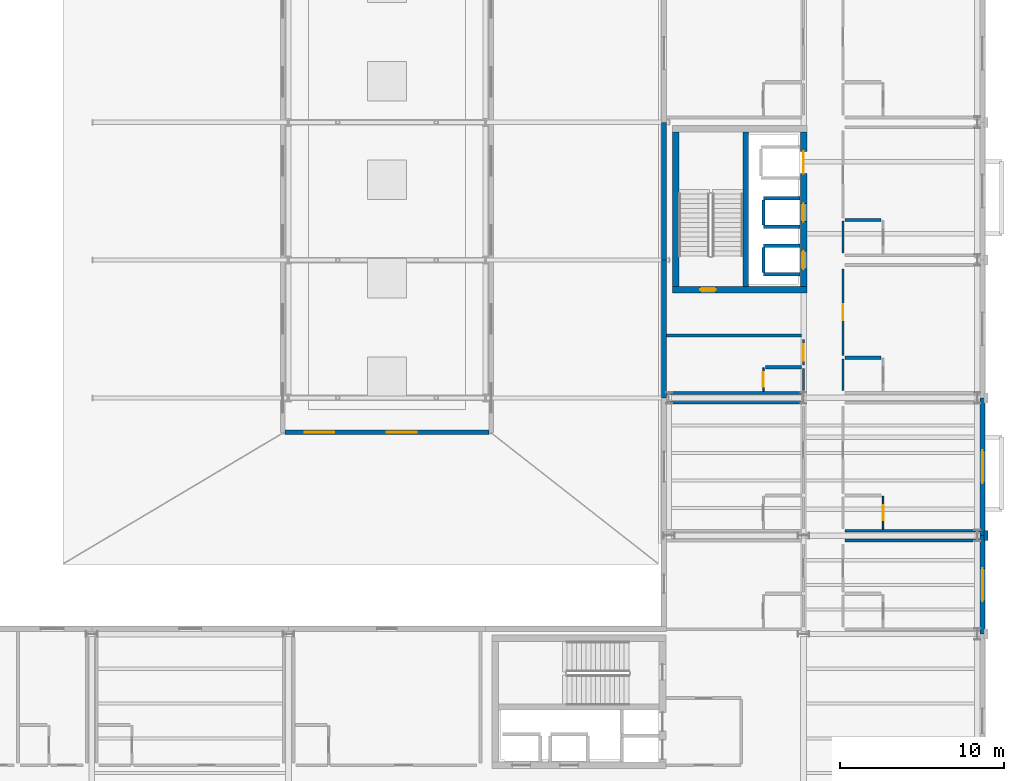
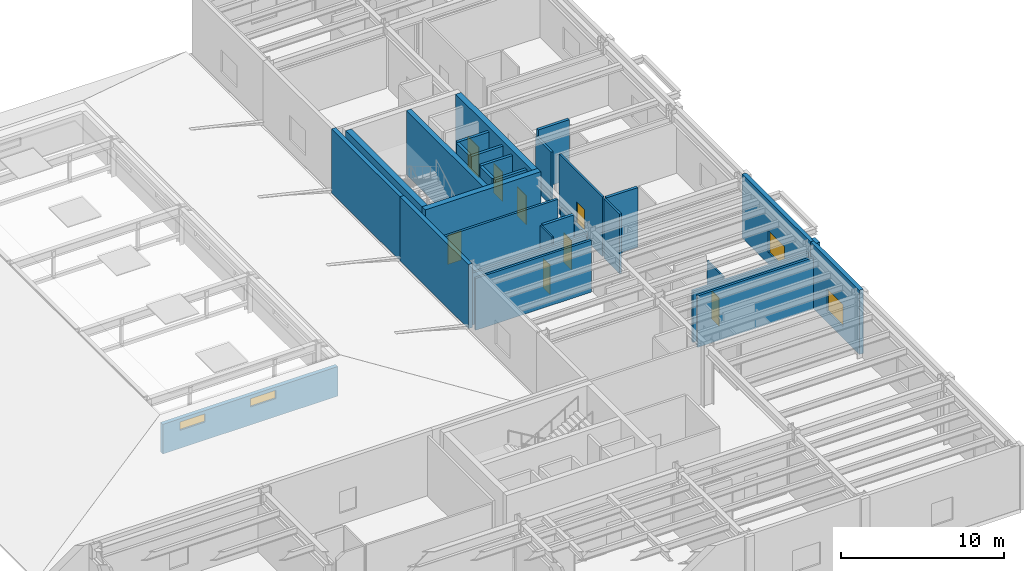
# One storey, part 79 of 91: 31 walls, 8 doors, 4 windows, 12 openings.
"""IFC4 building model written with IfcOpenShell, lengths in metres."""

from ifc_helpers import new_model, si_unit, direction, frame, frame_2d, origin, place, context, subcontext, project, spatial, rectangle, extrude, material, layer, layer_set, type_object, element, fill, save


model = new_model("IFC4")

# Units and contexts
model_context = context("Model", 3, precision=1e-05, world=origin(), true_north=direction((0.0, 1.0)))
body_context = subcontext(model_context, "Body", "Model", "MODEL_VIEW")
ifc_project = project(units=[si_unit("LENGTHUNIT", "METRE"), si_unit("AREAUNIT", "SQUARE_METRE"), si_unit("VOLUMEUNIT", "CUBIC_METRE"), si_unit("PLANEANGLEUNIT", "RADIAN"), si_unit("MASSUNIT", "GRAM", prefix="KILO")], contexts=[model_context])

# Site, building, storey
site_placement = place(None, origin())
site = spatial("IfcSite", under=ifc_project, at=site_placement, CompositionType="ELEMENT")
building_placement = place(site_placement, origin())
building = spatial("IfcBuilding", under=site, at=building_placement, Name="Sollismere Congress Hotel", CompositionType="ELEMENT")
storey_placement = place(building_placement, frame((0.0, 0.0, 10.800048828125)))
storey = spatial("IfcBuildingStorey", under=building, at=storey_placement, Name="L02", CompositionType="ELEMENT", Elevation=10.800048828125)

# Wall, openings, windows
ifc_material_1 = material(Name="Colorado Buff Sandstone Rainscreen on Insulated Backup", Category="masonry")
ifc_layer_1 = layer(ifc_material_1, 0.284912109375, Name="Colorado Buff Sandstone Rainscreen on Insulated Backup")
ifc_layer_set_1 = layer_set([ifc_layer_1], Name="Colorado Buff Sandstone Rainscreen on Insulated Backup")
wall_type_1 = type_object("IfcWallType", Name="WL-EXT285", PredefinedType="STANDARD", material=ifc_layer_set_1)
wall_1_placement = place(storey_placement, frame((123.79443359375, 31.10009765625, 0.0), z_axis=(0.0, 0.0, 1.0), x_axis=(1.0, 0.0, 0.0)))
wall_1 = element("IfcWall", 1, at=wall_1_placement, inside=storey, type_object=wall_type_1, Name="Exterior wall EW-L02-214", PredefinedType="STANDARD", context=body_context, shape_type="SweptSolid", body=[
    extrude(rectangle(XDim=12.4111328125, YDim=0.284912109375, at=frame_2d((6.20556640625, 0.0))), origin(), (0.0, 0.0, 1.0), 2.219970703125),
])
opening_1_placement = place(wall_1_placement, frame((1.199951171875, 0.0, 1.35009765625)))
opening_1 = element("IfcOpeningElement", 2, at=opening_1_placement, cuts=wall_1, Name="Opening W-L02-194", PredefinedType="OPENING", context=body_context, shape_type="SweptSolid", body=[
    extrude(rectangle(XDim=1.800048828125, YDim=0.6201171875, at=frame_2d((0.89990234375, 0.31005859375))), frame((0.0, 0.15234375, 0.0), z_axis=(0.0, -1.0, 0.0), x_axis=(1.0, 0.0, 0.0)), (0.0, 0.0, 1.0), 0.304931640625),
])
opening_2_placement = place(wall_1_placement, frame((6.20556640625, 0.0, 1.35009765625)))
opening_2 = element("IfcOpeningElement", 3, at=opening_2_placement, cuts=wall_1, Name="Opening W-L02-195", PredefinedType="OPENING", context=body_context, shape_type="SweptSolid", body=[
    extrude(rectangle(XDim=1.800048828125, YDim=0.6201171875, at=frame_2d((0.89990234375, 0.31005859375))), frame((0.0, 0.15234375, 0.0), z_axis=(0.0, -1.0, 0.0), x_axis=(1.0, 0.0, 0.0)), (0.0, 0.0, 1.0), 0.304931640625),
])
ifc_material_2 = material(Name="Thermally Broken Bronze Aluminum & Low-E Glass", Category="aluminium")
window_type_1 = type_object("IfcWindowType", Name="WN-CL180", PartitioningType="SINGLE_PANEL", PredefinedType="WINDOW", material=ifc_material_2)
window_1_placement = place(opening_1_placement, origin())
window_1 = element("IfcWindow", 4, at=window_1_placement, inside=storey, type_object=window_type_1, Name="WIN-W-L02-194", OverallHeight=0.6201171875, OverallWidth=1.800048828125, PartitioningType="SINGLE_PANEL", PredefinedType="WINDOW", context=body_context, shape_type="SweptSolid", body=[
    extrude(rectangle(XDim=1.800048828125, YDim=0.6201171875, at=frame_2d((0.89990234375, 0.31005859375))), frame((0.0, 0.030029296875, 0.0), z_axis=(0.0, -1.0, 0.0), x_axis=(1.0, 0.0, 0.0)), (0.0, 0.0, 1.0), 0.06005859375),
])
fill(opening_1, window_1)
window_2_placement = place(opening_2_placement, origin())
window_2 = element("IfcWindow", 5, at=window_2_placement, inside=storey, type_object=window_type_1, Name="WIN-W-L02-195", OverallHeight=0.6201171875, OverallWidth=1.800048828125, PartitioningType="SINGLE_PANEL", PredefinedType="WINDOW", context=body_context, shape_type="SweptSolid", body=[
    extrude(rectangle(XDim=1.800048828125, YDim=0.6201171875, at=frame_2d((0.89990234375, 0.31005859375))), frame((0.0, 0.030029296875, 0.0), z_axis=(0.0, -1.0, 0.0), x_axis=(1.0, 0.0, 0.0)), (0.0, 0.0, 1.0), 0.06005859375),
])
fill(opening_2, window_2)

# Wall, opening, window
wall_2_placement = place(storey_placement, frame((166.31005859375, 18.800048828125, 0.0), z_axis=(0.0, 0.0, 1.0), x_axis=(0.0, 1.0, 0.0)))
wall_2 = element("IfcWall", 6, at=wall_2_placement, inside=storey, type_object=wall_type_1, Name="Exterior wall EW-L02-358", PredefinedType="STANDARD", context=body_context, shape_type="SweptSolid", body=[
    extrude(rectangle(XDim=6.0, YDim=0.284912109375, at=frame_2d((3.0, 0.0))), origin(), (0.0, 0.0, 1.0), 4.800048828125),
])
opening_3_placement = place(wall_2_placement, frame((2.0, 0.0, 0.85009765625)))
opening_3 = element("IfcOpeningElement", 7, at=opening_3_placement, cuts=wall_2, Name="Opening W-L02-285", PredefinedType="OPENING", context=body_context, shape_type="SweptSolid", body=[
    extrude(rectangle(XDim=2.0, YDim=1.64990234375, at=frame_2d((1.0, 0.824951171875))), frame((0.0, 0.15234375, 0.0), z_axis=(0.0, -1.0, 0.0), x_axis=(1.0, 0.0, 0.0)), (0.0, 0.0, 1.0), 0.304931640625),
])
window_type_2 = type_object("IfcWindowType", Name="WN-P200x165", PartitioningType="SINGLE_PANEL", PredefinedType="WINDOW", material=ifc_material_2)
window_3_placement = place(opening_3_placement, origin())
window_3 = element("IfcWindow", 8, at=window_3_placement, inside=storey, type_object=window_type_2, Name="WIN-W-L02-285", OverallHeight=1.64990234375, OverallWidth=2.0, PartitioningType="SINGLE_PANEL", PredefinedType="WINDOW", context=body_context, shape_type="SweptSolid", body=[
    extrude(rectangle(XDim=2.0, YDim=1.64990234375, at=frame_2d((1.0, 0.824951171875))), frame((0.0, 0.030029296875, 0.0), z_axis=(0.0, -1.0, 0.0), x_axis=(1.0, 0.0, 0.0)), (0.0, 0.0, 1.0), 0.06005859375),
])
fill(opening_3, window_3)

wall_3_placement = place(storey_placement, frame((166.31005859375, 24.800048828125, 0.0), z_axis=(0.0, 0.0, 1.0), x_axis=(0.0, 1.0, 0.0)))
wall_3 = element("IfcWall", 9, at=wall_3_placement, inside=storey, type_object=wall_type_1, Name="Exterior wall EW-L02-360", PredefinedType="STANDARD", context=body_context, shape_type="SweptSolid", body=[
    extrude(rectangle(XDim=8.39990234375, YDim=0.284912109375, at=frame_2d((4.199951171875, 0.0))), origin(), (0.0, 0.0, 1.0), 4.800048828125),
])
opening_4_placement = place(wall_3_placement, frame((3.199951171875, 0.0, 0.85009765625)))
opening_4 = element("IfcOpeningElement", 10, at=opening_4_placement, cuts=wall_3, Name="Opening W-L02-286", PredefinedType="OPENING", context=body_context, shape_type="SweptSolid", body=[
    extrude(rectangle(XDim=2.0, YDim=1.64990234375, at=frame_2d((1.0, 0.824951171875))), frame((0.0, 0.15234375, 0.0), z_axis=(0.0, -1.0, 0.0), x_axis=(1.0, 0.0, 0.0)), (0.0, 0.0, 1.0), 0.304931640625),
])
window_4_placement = place(opening_4_placement, origin())
window_4 = element("IfcWindow", 11, at=window_4_placement, inside=storey, type_object=window_type_2, Name="WIN-W-L02-286", OverallHeight=1.64990234375, OverallWidth=2.0, PartitioningType="SINGLE_PANEL", PredefinedType="WINDOW", context=body_context, shape_type="SweptSolid", body=[
    extrude(rectangle(XDim=2.0, YDim=1.64990234375, at=frame_2d((1.0, 0.824951171875))), frame((0.0, 0.030029296875, 0.0), z_axis=(0.0, -1.0, 0.0), x_axis=(1.0, 0.0, 0.0)), (0.0, 0.0, 1.0), 0.06005859375),
])
fill(opening_4, window_4)

# Walls
wall_4_placement = place(storey_placement, frame((146.889892578125, 33.199951171875, 0.0), z_axis=(0.0, 0.0, 1.0), x_axis=(0.0, 1.0, 0.0)))
element("IfcWall", 12, at=wall_4_placement, inside=storey, type_object=wall_type_1, Name="Exterior wall EW-L02-383", PredefinedType="STANDARD", context=body_context, shape_type="SweptSolid", body=[
    extrude(rectangle(XDim=8.400146484375, YDim=0.284912109375, at=frame_2d((4.2001953125, 0.0))), origin(), (0.0, 0.0, 1.0), 4.800048828125),
])
wall_5_placement = place(storey_placement, frame((146.889892578125, 41.60009765625, 0.0), z_axis=(0.0, 0.0, 1.0), x_axis=(0.0, 1.0, 0.0)))
element("IfcWall", 13, at=wall_5_placement, inside=storey, type_object=wall_type_1, Name="Exterior wall EW-L02-384", PredefinedType="STANDARD", context=body_context, shape_type="SweptSolid", body=[
    extrude(rectangle(XDim=8.39990234375, YDim=0.284912109375, at=frame_2d((4.199951171875, 0.0))), origin(), (0.0, 0.0, 1.0), 4.800048828125),
])
ifc_material_3 = material(Name="Carved Travertine Pilaster & Frieze Assembly", Category="masonry")
ifc_layer_2 = layer(ifc_material_3, 0.260009765625, Name="Carved Travertine Pilaster & Frieze Assembly")
ifc_layer_set_2 = layer_set([ifc_layer_2], Name="Carved Travertine Pilaster & Frieze Assembly")
wall_type_2 = type_object("IfcWallType", Name="WL-PIL280", PredefinedType="ELEMENTEDWALL", material=ifc_layer_set_2)
wall_6_placement = place(storey_placement, frame((166.52001953125, 24.5, 0.0), z_axis=(0.0, 0.0, 1.0), x_axis=(0.0, 1.0, 0.0)))
element("IfcWall", 14, at=wall_6_placement, inside=storey, type_object=wall_type_2, Name="Exterior wall EW-L02-361", PredefinedType="ELEMENTEDWALL", context=body_context, shape_type="SweptSolid", body=[
    extrude(rectangle(XDim=0.60009765625, YDim=0.260009765625, at=frame_2d((0.300048828125, 0.0))), origin(), (0.0, 0.0, 1.0), 4.800048828125),
])
ifc_material_4 = material(Name="Moisture-Resistant Shaft Gypsum Assembly")
ifc_layer_3 = layer(ifc_material_4, 0.199951171875, Name="Moisture-Resistant Shaft Gypsum Assembly")
ifc_layer_set_3 = layer_set([ifc_layer_3], Name="Moisture-Resistant Shaft Gypsum Assembly")
wall_type_3 = type_object("IfcWallType", Name="WL-PLM200", PredefinedType="PLUMBINGWALL", material=ifc_layer_set_3)
for number, where, z_axis, x_axis, name in (
    (15, (152.955078125, 40.72998046875, 0.0), (0.0, 0.0, 1.0), (1.0, 0.0, 0.0), "Interior wall IW-L02-0425"),
    (16, (152.955078125, 42.469970703125, 0.0), (0.0, 0.0, 1.0), (1.0, 0.0, 0.0), "Interior wall IW-L02-0426"),
):
    element("IfcWall", number, at=place(storey_placement, frame(where, z_axis=z_axis, x_axis=x_axis)), inside=storey, type_object=wall_type_3, Name=name, PredefinedType="PLUMBINGWALL", context=body_context, shape_type="SweptSolid", body=[
        extrude(rectangle(XDim=2.23291015625, YDim=0.199951171875, at=frame_2d((1.116455078125, 0.0))), origin(), (0.0, 0.0, 1.0), 4.474853515625),
    ])
wall_7_placement = place(storey_placement, frame((152.955078125, 40.842041015625, 0.0), z_axis=(0.0, 0.0, 1.0), x_axis=(0.0, 1.0, 0.0)))
element("IfcWall", 17, at=wall_7_placement, inside=storey, type_object=wall_type_3, Name="Interior wall IW-L02-0427", PredefinedType="PLUMBINGWALL", context=body_context, shape_type="SweptSolid", body=[
    extrude(rectangle(XDim=1.515869140625, YDim=0.199951171875, at=frame_2d((0.7578125, 0.0))), origin(), (0.0, 0.0, 1.0), 4.474853515625),
])
for number, where, z_axis, x_axis, name in (
    (18, (152.955078125, 43.6298828125, 0.0), (0.0, 0.0, 1.0), (1.0, 0.0, 0.0), "Interior wall IW-L02-0428"),
    (19, (152.955078125, 45.3701171875, 0.0), (0.0, 0.0, 1.0), (1.0, 0.0, 0.0), "Interior wall IW-L02-0429"),
):
    element("IfcWall", number, at=place(storey_placement, frame(where, z_axis=z_axis, x_axis=x_axis)), inside=storey, type_object=wall_type_3, Name=name, PredefinedType="PLUMBINGWALL", context=body_context, shape_type="SweptSolid", body=[
        extrude(rectangle(XDim=2.23291015625, YDim=0.199951171875, at=frame_2d((1.116455078125, 0.0))), origin(), (0.0, 0.0, 1.0), 4.474853515625),
    ])
wall_8_placement = place(storey_placement, frame((152.955078125, 43.741943359375, 0.0), z_axis=(0.0, 0.0, 1.0), x_axis=(0.0, 1.0, 0.0)))
element("IfcWall", 20, at=wall_8_placement, inside=storey, type_object=wall_type_3, Name="Interior wall IW-L02-0430", PredefinedType="PLUMBINGWALL", context=body_context, shape_type="SweptSolid", body=[
    extrude(rectangle(XDim=1.51611328125, YDim=0.199951171875, at=frame_2d((0.758056640625, 0.0))), origin(), (0.0, 0.0, 1.0), 4.474853515625),
])
for number, where, z_axis, x_axis, name in (
    (21, (157.919921875, 35.64990234375, 0.0), (0.0, 0.0, 1.0), (1.0, 0.0, 0.0), "Interior wall IW-L02-1161"),
    (22, (153.070068359375, 35.074951171875, 0.0), (0.0, 0.0, 1.0), (1.0, 0.0, 0.0), "Interior wall IW-L02-1167"),
    (23, (157.919921875, 44.050048828125, 0.0), (0.0, 0.0, 1.0), (1.0, 0.0, 0.0), "Interior wall IW-L02-1173"),
):
    element("IfcWall", number, at=place(storey_placement, frame(where, z_axis=z_axis, x_axis=x_axis)), inside=storey, type_object=wall_type_3, Name=name, PredefinedType="PLUMBINGWALL", context=body_context, shape_type="SweptSolid", body=[
        extrude(rectangle(XDim=2.2099609375, YDim=0.199951171875, at=frame_2d((1.10498046875, 0.0))), origin(), (0.0, 0.0, 1.0), 4.474853515625),
    ])

# Wall, opening, door
ifc_material_5 = material(Name="Moisture-Resistant Gypsum Partition")
ifc_layer_4 = layer(ifc_material_5, 0.10009765625, Name="Moisture-Resistant Gypsum Partition")
ifc_layer_set_4 = layer_set([ifc_layer_4], Name="Moisture-Resistant Gypsum Partition")
wall_type_4 = type_object("IfcWallType", Name="WL-PRT100", PredefinedType="PARTITIONING", material=ifc_layer_set_4)
wall_9_placement = place(storey_placement, frame((160.25, 25.194580078125, 0.0), z_axis=(0.0, 0.0, 1.0), x_axis=(0.0, 1.0, 0.0)))
wall_9 = element("IfcWall", 24, at=wall_9_placement, inside=storey, type_object=wall_type_4, Name="Interior wall IW-L02-1150", PredefinedType="PARTITIONING", context=body_context, shape_type="SweptSolid", body=[
    extrude(rectangle(XDim=2.015380859375, YDim=0.10009765625, at=frame_2d((1.0078125, 0.0))), origin(), (0.0, 0.0, 1.0), 4.02783203125),
])
opening_5_placement = place(wall_9_placement, frame((0.554931640625, 0.0, 0.0)))
opening_5 = element("IfcOpeningElement", 25, at=opening_5_placement, cuts=wall_9, Name="Opening D-L02-0406", PredefinedType="OPENING", context=body_context, shape_type="SweptSolid", body=[
    extrude(rectangle(XDim=0.905029296875, YDim=2.10009765625, at=frame_2d((0.45263671875, 1.050048828125))), frame((0.0, 0.06005859375, 0.0), z_axis=(0.0, -1.0, 0.0), x_axis=(1.0, 0.0, 0.0)), (0.0, 0.0, 1.0), 0.1201171875),
])
ifc_material_6 = material(Name="Moisture-Sealed Timber Bathroom Door", Category="wood")
door_type_1 = type_object("IfcDoorType", Name="DR-BT02", OperationType="NOTDEFINED", PredefinedType="DOOR", material=ifc_material_6)
door_1_placement = place(opening_5_placement, origin())
door_1 = element("IfcDoor", 26, at=door_1_placement, inside=storey, type_object=door_type_1, Name="En-suite bathroom door D-L02-0406", OperationType="SINGLE_SWING_LEFT", OverallHeight=2.10009765625, OverallWidth=0.905029296875, PredefinedType="DOOR", context=body_context, shape_type="SweptSolid", body=[
    extrude(rectangle(XDim=0.905029296875, YDim=2.10009765625, at=frame_2d((0.45263671875, 1.050048828125))), frame((0.0, 0.02490234375, 0.0), z_axis=(0.0, -1.0, 0.0), x_axis=(1.0, 0.0, 0.0)), (0.0, 0.0, 1.0), 0.050048828125),
])
fill(opening_5, door_1)

wall_10_placement = place(storey_placement, frame((152.949951171875, 33.594482421875, 0.0), z_axis=(0.0, 0.0, 1.0), x_axis=(0.0, 1.0, 0.0)))
wall_10 = element("IfcWall", 27, at=wall_10_placement, inside=storey, type_object=wall_type_4, Name="Interior wall IW-L02-1168", PredefinedType="PARTITIONING", context=body_context, shape_type="SweptSolid", body=[
    extrude(rectangle(XDim=1.4404296875, YDim=0.10009765625, at=frame_2d((0.72021484375, 0.0))), origin(), (0.0, 0.0, 1.0), 4.474853515625),
])
opening_6_placement = place(wall_10_placement, frame((0.280029296875, 0.0, 0.0)))
opening_6 = element("IfcOpeningElement", 28, at=opening_6_placement, cuts=wall_10, Name="Opening D-L02-0412", PredefinedType="OPENING", context=body_context, shape_type="SweptSolid", body=[
    extrude(rectangle(XDim=0.8798828125, YDim=2.179931640625, at=frame_2d((0.43994140625, 1.08984375))), frame((0.0, 0.06005859375, 0.0), z_axis=(0.0, -1.0, 0.0), x_axis=(1.0, 0.0, 0.0)), (0.0, 0.0, 1.0), 0.1201171875),
])
door_type_2 = type_object("IfcDoorType", Name="DR-BT05", OperationType="NOTDEFINED", PredefinedType="DOOR", material=ifc_material_6)
door_2_placement = place(opening_6_placement, origin())
door_2 = element("IfcDoor", 29, at=door_2_placement, inside=storey, type_object=door_type_2, Name="En-suite bathroom door D-L02-0412", OperationType="SINGLE_SWING_LEFT", OverallHeight=2.179931640625, OverallWidth=0.8798828125, PredefinedType="DOOR", context=body_context, shape_type="SweptSolid", body=[
    extrude(rectangle(XDim=0.8798828125, YDim=2.179931640625, at=frame_2d((0.43994140625, 1.08984375))), frame((0.0, 0.02490234375, 0.0), z_axis=(0.0, -1.0, 0.0), x_axis=(1.0, 0.0, 0.0)), (0.0, 0.0, 1.0), 0.050048828125),
])
fill(opening_6, door_2)

# Wall
ifc_material_7 = material(Name="Fire-Rated Gypsum Partition")
ifc_layer_5 = layer(ifc_material_7, 0.139892578125, Name="Fire-Rated Gypsum Partition")
ifc_layer_set_5 = layer_set([ifc_layer_5], Name="Fire-Rated Gypsum Partition")
wall_type_5 = type_object("IfcWallType", Name="WL-PRT140R", PredefinedType="PARTITIONING", material=ifc_layer_set_5)
wall_11_placement = place(storey_placement, frame((157.800048828125, 33.639892578125, 0.0), z_axis=(0.0, 0.0, 1.0), x_axis=(0.0, 1.0, 0.0)))
element("IfcWall", 30, at=wall_11_placement, inside=storey, type_object=wall_type_5, Name="Interior wall IW-L02-1157", PredefinedType="PARTITIONING", context=body_context, shape_type="SweptSolid", body=[
    extrude(rectangle(XDim=1.93017578125, YDim=0.139892578125, at=frame_2d((0.965087890625, 0.0))), origin(), (0.0, 0.0, 1.0), 4.474853515625),
])

# Wall, opening, door
wall_12_placement = place(storey_placement, frame((157.800048828125, 35.77001953125, 0.0), z_axis=(0.0, 0.0, 1.0), x_axis=(0.0, 1.0, 0.0)))
wall_12 = element("IfcWall", 31, at=wall_12_placement, inside=storey, type_object=wall_type_5, Name="Interior wall IW-L02-1158", PredefinedType="PARTITIONING", context=body_context, shape_type="SweptSolid", body=[
    extrude(rectangle(XDim=5.2900390625, YDim=0.139892578125, at=frame_2d((2.64501953125, 0.0))), origin(), (0.0, 0.0, 1.0), 4.474853515625),
])
opening_7_placement = place(wall_12_placement, frame((2.155029296875, 0.0, 0.0)))
opening_7 = element("IfcOpeningElement", 32, at=opening_7_placement, cuts=wall_12, Name="Opening D-L02-0409", PredefinedType="OPENING", context=body_context, shape_type="SweptSolid", body=[
    extrude(rectangle(XDim=0.97998046875, YDim=2.199951171875, at=frame_2d((0.489990234375, 1.10009765625))), frame((0.0, 0.079833984375, 0.0), z_axis=(0.0, -1.0, 0.0), x_axis=(1.0, 0.0, 0.0)), (0.0, 0.0, 1.0), 0.159912109375),
])
ifc_material_8 = material(Name="Solid-Core Acoustic Walnut Guestroom Entry Door")
door_type_3 = type_object("IfcDoorType", Name="DR-KY03", OperationType="NOTDEFINED", PredefinedType="DOOR", material=ifc_material_8)
door_3_placement = place(opening_7_placement, origin())
door_3 = element("IfcDoor", 33, at=door_3_placement, inside=storey, type_object=door_type_3, Name="Hotel room entry door D-L02-0409", OperationType="SINGLE_SWING_RIGHT", OverallHeight=2.199951171875, OverallWidth=0.97998046875, PredefinedType="DOOR", context=body_context, shape_type="SweptSolid", body=[
    extrude(rectangle(XDim=0.97998046875, YDim=2.199951171875, at=frame_2d((0.489990234375, 1.10009765625))), frame((0.0, 0.02490234375, 0.0), z_axis=(0.0, -1.0, 0.0), x_axis=(1.0, 0.0, 0.0)), (0.0, 0.0, 1.0), 0.050048828125),
])
fill(opening_7, door_3)

# Wall
wall_13_placement = place(storey_placement, frame((155.39990234375, 33.639892578125, 0.0), z_axis=(0.0, 0.0, 1.0), x_axis=(0.0, 1.0, 0.0)))
element("IfcWall", 34, at=wall_13_placement, inside=storey, type_object=wall_type_5, Name="Interior wall IW-L02-1163", PredefinedType="PARTITIONING", context=body_context, shape_type="SweptSolid", body=[
    extrude(rectangle(XDim=1.355224609375, YDim=0.139892578125, at=frame_2d((0.677734375, 0.0))), origin(), (0.0, 0.0, 1.0), 3.864990234375),
])

# Wall, opening, door
wall_14_placement = place(storey_placement, frame((155.39990234375, 35.195068359375, 0.0), z_axis=(0.0, 0.0, 1.0), x_axis=(0.0, 1.0, 0.0)))
wall_14 = element("IfcWall", 35, at=wall_14_placement, inside=storey, type_object=wall_type_5, Name="Interior wall IW-L02-1164", PredefinedType="PARTITIONING", context=body_context, shape_type="SweptSolid", body=[
    extrude(rectangle(XDim=1.56494140625, YDim=0.139892578125, at=frame_2d((0.782470703125, 0.0))), origin(), (0.0, 0.0, 1.0), 3.864990234375),
])
opening_8_placement = place(wall_14_placement, frame((0.277099609375, 0.0, 0.0)))
opening_8 = element("IfcOpeningElement", 36, at=opening_8_placement, cuts=wall_14, Name="Opening D-L02-0411", PredefinedType="OPENING", context=body_context, shape_type="SweptSolid", body=[
    extrude(rectangle(XDim=1.010009765625, YDim=2.199951171875, at=frame_2d((0.5048828125, 1.10009765625))), frame((0.0, 0.079833984375, 0.0), z_axis=(0.0, -1.0, 0.0), x_axis=(1.0, 0.0, 0.0)), (0.0, 0.0, 1.0), 0.159912109375),
])
door_type_4 = type_object("IfcDoorType", Name="DR-KY04", OperationType="NOTDEFINED", PredefinedType="DOOR", material=ifc_material_8)
door_4_placement = place(opening_8_placement, origin())
door_4 = element("IfcDoor", 37, at=door_4_placement, inside=storey, type_object=door_type_4, Name="Hotel room entry door D-L02-0411", OperationType="SINGLE_SWING_RIGHT", OverallHeight=2.199951171875, OverallWidth=1.010009765625, PredefinedType="DOOR", context=body_context, shape_type="SweptSolid", body=[
    extrude(rectangle(XDim=1.010009765625, YDim=2.199951171875, at=frame_2d((0.5048828125, 1.10009765625))), frame((0.0, 0.02490234375, 0.0), z_axis=(0.0, -1.0, 0.0), x_axis=(1.0, 0.0, 0.0)), (0.0, 0.0, 1.0), 0.050048828125),
])
fill(opening_8, door_4)

# Walls
wall_15_placement = place(storey_placement, frame((157.800048828125, 42.0400390625, 0.0), z_axis=(0.0, 0.0, 1.0), x_axis=(0.0, 1.0, 0.0)))
element("IfcWall", 38, at=wall_15_placement, inside=storey, type_object=wall_type_5, Name="Interior wall IW-L02-1169", PredefinedType="PARTITIONING", context=body_context, shape_type="SweptSolid", body=[
    extrude(rectangle(XDim=1.929931640625, YDim=0.139892578125, at=frame_2d((0.96484375, 0.0))), origin(), (0.0, 0.0, 1.0), 4.02783203125),
])
ifc_material_9 = material(Name="Fire-Rated Acoustic Gypsum Partition")
ifc_layer_6 = layer(ifc_material_9, 0.1650390625, Name="Fire-Rated Acoustic Gypsum Partition")
ifc_layer_set_6 = layer_set([ifc_layer_6], Name="Fire-Rated Acoustic Gypsum Partition")
wall_type_6 = type_object("IfcWallType", Name="WL-PRT165R", PredefinedType="PARTITIONING", material=ifc_layer_set_6)
for number, where, z_axis, x_axis, name in (
    (39, (157.93994140625, 24.5, 0.0), (0.0, 0.0, 1.0), (1.0, 0.0, 0.0), "Interior wall IW-L02-1136"),
    (40, (157.93994140625, 25.10009765625, 0.0), (0.0, 0.0, 1.0), (1.0, 0.0, 0.0), "Interior wall IW-L02-1147"),
):
    element("IfcWall", number, at=place(storey_placement, frame(where, z_axis=z_axis, x_axis=x_axis)), inside=storey, type_object=wall_type_6, Name=name, PredefinedType="PARTITIONING", context=body_context, shape_type="SweptSolid", body=[
        extrude(rectangle(XDim=8.212646484375, YDim=0.1650390625, at=frame_2d((4.1064453125, 0.0))), origin(), (0.0, 0.0, 1.0), 3.864990234375),
    ])
for number, where, z_axis, x_axis, name in (
    (41, (147.047607421875, 32.89990234375, 0.0), (0.0, 0.0, 1.0), (1.0, 0.0, 0.0), "Interior wall IW-L02-1154"),
    (42, (147.047607421875, 33.5, 0.0), (0.0, 0.0, 1.0), (1.0, 0.0, 0.0), "Interior wall IW-L02-1165"),
):
    element("IfcWall", number, at=place(storey_placement, frame(where, z_axis=z_axis, x_axis=x_axis)), inside=storey, type_object=wall_type_6, Name=name, PredefinedType="PARTITIONING", context=body_context, shape_type="SweptSolid", body=[
        extrude(rectangle(XDim=8.21240234375, YDim=0.1650390625, at=frame_2d((4.106201171875, 0.0))), origin(), (0.0, 0.0, 1.0), 3.887939453125),
    ])
wall_16_placement = place(storey_placement, frame((147.047607421875, 37.0, 0.0), z_axis=(0.0, 0.0, 1.0), x_axis=(1.0, 0.0, 0.0)))
element("IfcWall", 43, at=wall_16_placement, inside=storey, type_object=wall_type_6, Name="Interior wall IW-L02-1166", PredefinedType="PARTITIONING", context=body_context, shape_type="SweptSolid", body=[
    extrude(rectangle(XDim=8.21240234375, YDim=0.1650390625, at=frame_2d((4.106201171875, 0.0))), origin(), (0.0, 0.0, 1.0), 4.474853515625),
])
ifc_material_10 = material(Name="Concrete C50/60", Category="concrete")
ifc_layer_7 = layer(ifc_material_10, 0.35009765625, Name="Concrete C50/60")
ifc_layer_set_7 = layer_set([ifc_layer_7], Name="Concrete C50/60")
wall_type_7 = type_object("IfcWallType", Name="WL-SHR350", PredefinedType="SHEAR", material=ifc_layer_set_7)
wall_17_placement = place(storey_placement, frame((151.875, 40.0, 0.0), z_axis=(0.0, 0.0, 1.0), x_axis=(0.0, 1.0, 0.0)))
element("IfcWall", 44, at=wall_17_placement, inside=storey, type_object=wall_type_7, Name="Interior wall IW-L02-0424", PredefinedType="SHEAR", context=body_context, shape_type="SweptSolid", body=[
    extrude(rectangle(XDim=9.39990234375, YDim=0.35009765625, at=frame_2d((4.699951171875, 0.0))), origin(), (0.0, 0.0, 1.0), 4.800048828125),
])

# Wall, opening, door
ifc_layer_8 = layer(ifc_material_10, 0.39990234375, Name="Concrete C50/60")
ifc_layer_set_8 = layer_set([ifc_layer_8], Name="Concrete C50/60")
wall_type_8 = type_object("IfcWallType", Name="WL-SHR400", PredefinedType="SHEAR", material=ifc_layer_set_8)
wall_18_placement = place(storey_placement, frame((147.39990234375, 39.800048828125, 0.0), z_axis=(0.0, 0.0, 1.0), x_axis=(1.0, 0.0, 0.0)))
wall_18 = element("IfcWall", 45, at=wall_18_placement, inside=storey, type_object=wall_type_8, Name="Interior wall IW-L02-0420", PredefinedType="SHEAR", context=body_context, shape_type="SweptSolid", body=[
    extrude(rectangle(XDim=8.2001953125, YDim=0.39990234375, at=frame_2d((4.10009765625, 0.0))), origin(), (0.0, 0.0, 1.0), 4.800048828125),
])
opening_9_placement = place(wall_18_placement, frame((1.699951171875, 0.0, 0.0)))
opening_9 = element("IfcOpeningElement", 46, at=opening_9_placement, cuts=wall_18, Name="Opening D-ST-03-L02", PredefinedType="OPENING", context=body_context, shape_type="SweptSolid", body=[
    extrude(rectangle(XDim=0.949951171875, YDim=2.199951171875, at=frame_2d((0.47509765625, 1.10009765625))), frame((0.0, 0.2099609375, 0.0), z_axis=(0.0, -1.0, 0.0), x_axis=(1.0, 0.0, 0.0)), (0.0, 0.0, 1.0), 0.419921875),
])
ifc_material_11 = material(Name="Fire-Rated Insulated Steel Door", Category="steel")
door_type_5 = type_object("IfcDoorType", Name="DR-FD90", OperationType="NOTDEFINED", PredefinedType="DOOR", material=ifc_material_11)
door_5_placement = place(opening_9_placement, origin())
door_5 = element("IfcDoor", 47, at=door_5_placement, inside=storey, type_object=door_type_5, Name="Exit stair fire door D-ST-03-L02", OperationType="SINGLE_SWING_RIGHT", OverallHeight=2.199951171875, OverallWidth=0.949951171875, PredefinedType="DOOR", context=body_context, shape_type="SweptSolid", body=[
    extrude(rectangle(XDim=0.949951171875, YDim=2.199951171875, at=frame_2d((0.47509765625, 1.10009765625))), frame((0.0, 0.02490234375, 0.0), z_axis=(0.0, -1.0, 0.0), x_axis=(1.0, 0.0, 0.0)), (0.0, 0.0, 1.0), 0.050048828125),
])
fill(opening_9, door_5)

# Wall
wall_19_placement = place(storey_placement, frame((147.60009765625, 49.39990234375, 0.0), z_axis=(0.0, 0.0, 1.0), x_axis=(0.0, -1.0, 0.0)))
element("IfcWall", 48, at=wall_19_placement, inside=storey, type_object=wall_type_8, Name="Interior wall IW-L02-0422", PredefinedType="SHEAR", context=body_context, shape_type="SweptSolid", body=[
    extrude(rectangle(XDim=9.39990234375, YDim=0.39990234375, at=frame_2d((4.699951171875, 0.0))), origin(), (0.0, 0.0, 1.0), 4.800048828125),
])

# Wall, openings, doors
wall_20_placement = place(storey_placement, frame((155.39990234375, 40.0, 0.0), z_axis=(0.0, 0.0, 1.0), x_axis=(0.0, 1.0, 0.0)))
wall_20 = element("IfcWall", 49, at=wall_20_placement, inside=storey, type_object=wall_type_8, Name="Interior wall IW-L02-0423", PredefinedType="SHEAR", context=body_context, shape_type="SweptSolid", body=[
    extrude(rectangle(XDim=9.39990234375, YDim=0.39990234375, at=frame_2d((4.699951171875, 0.0))), origin(), (0.0, 0.0, 1.0), 4.800048828125),
])
opening_10_placement = place(wall_20_placement, frame((1.050048828125, 0.0, 0.0)))
opening_10 = element("IfcOpeningElement", 50, at=opening_10_placement, cuts=wall_20, Name="Opening LD-LP-05-L02", PredefinedType="OPENING", context=body_context, shape_type="SweptSolid", body=[
    extrude(rectangle(XDim=1.10009765625, YDim=2.199951171875, at=frame_2d((0.550048828125, 1.10009765625))), frame((0.0, 0.2099609375, 0.0), z_axis=(0.0, -1.0, 0.0), x_axis=(1.0, 0.0, 0.0)), (0.0, 0.0, 1.0), 0.419921875),
])
opening_11_placement = place(wall_20_placement, frame((3.949951171875, 0.0, 0.0)))
opening_11 = element("IfcOpeningElement", 51, at=opening_11_placement, cuts=wall_20, Name="Opening LD-LP-06-L02", PredefinedType="OPENING", context=body_context, shape_type="SweptSolid", body=[
    extrude(rectangle(XDim=1.10009765625, YDim=2.199951171875, at=frame_2d((0.550048828125, 1.10009765625))), frame((0.0, 0.2099609375, 0.0), z_axis=(0.0, -1.0, 0.0), x_axis=(1.0, 0.0, 0.0)), (0.0, 0.0, 1.0), 0.419921875),
])
opening_12_placement = place(wall_20_placement, frame((6.875, 0.0, 0.0)))
opening_12 = element("IfcOpeningElement", 52, at=opening_12_placement, cuts=wall_20, Name="Opening LD-LS-02-L02", PredefinedType="OPENING", context=body_context, shape_type="SweptSolid", body=[
    extrude(rectangle(XDim=1.35009765625, YDim=2.300048828125, at=frame_2d((0.675048828125, 1.14990234375))), frame((0.0, 0.2099609375, 0.0), z_axis=(0.0, -1.0, 0.0), x_axis=(1.0, 0.0, 0.0)), (0.0, 0.0, 1.0), 0.419921875),
])
ifc_material_12 = material(Name="Brushed Bronze Sliding Elevator Landing Door")
door_type_6 = type_object("IfcDoorType", Name="DR-LD110", OperationType="NOTDEFINED", PredefinedType="DOOR", material=ifc_material_12)
door_6_placement = place(opening_10_placement, origin())
door_6 = element("IfcDoor", 53, at=door_6_placement, inside=storey, type_object=door_type_6, Name="Elevator landing door LD-LP-05-L02", OperationType="SLIDING_TO_LEFT", OverallHeight=2.199951171875, OverallWidth=1.10009765625, PredefinedType="DOOR", context=body_context, shape_type="SweptSolid", body=[
    extrude(rectangle(XDim=1.10009765625, YDim=2.199951171875, at=frame_2d((0.550048828125, 1.10009765625))), frame((0.0, 0.02490234375, 0.0), z_axis=(0.0, -1.0, 0.0), x_axis=(1.0, 0.0, 0.0)), (0.0, 0.0, 1.0), 0.050048828125),
])
fill(opening_10, door_6)
door_7_placement = place(opening_11_placement, origin())
door_7 = element("IfcDoor", 54, at=door_7_placement, inside=storey, type_object=door_type_6, Name="Elevator landing door LD-LP-06-L02", OperationType="SLIDING_TO_RIGHT", OverallHeight=2.199951171875, OverallWidth=1.10009765625, PredefinedType="DOOR", context=body_context, shape_type="SweptSolid", body=[
    extrude(rectangle(XDim=1.10009765625, YDim=2.199951171875, at=frame_2d((0.550048828125, 1.10009765625))), frame((0.0, 0.02490234375, 0.0), z_axis=(0.0, -1.0, 0.0), x_axis=(1.0, 0.0, 0.0)), (0.0, 0.0, 1.0), 0.050048828125),
])
fill(opening_11, door_7)
ifc_material_13 = material(Name="Heavy-Duty Stainless Sliding Service Landing Door")
door_type_7 = type_object("IfcDoorType", Name="DR-LD135", OperationType="NOTDEFINED", PredefinedType="DOOR", material=ifc_material_13)
door_8_placement = place(opening_12_placement, origin())
door_8 = element("IfcDoor", 55, at=door_8_placement, inside=storey, type_object=door_type_7, Name="Elevator landing door LD-LS-02-L02", OperationType="SLIDING_TO_LEFT", OverallHeight=2.300048828125, OverallWidth=1.35009765625, PredefinedType="DOOR", context=body_context, shape_type="SweptSolid", body=[
    extrude(rectangle(XDim=1.35009765625, YDim=2.300048828125, at=frame_2d((0.675048828125, 1.14990234375))), frame((0.0, 0.02490234375, 0.0), z_axis=(0.0, -1.0, 0.0), x_axis=(1.0, 0.0, 0.0)), (0.0, 0.0, 1.0), 0.050048828125),
])
fill(opening_12, door_8)

save(model, "model.ifc")
